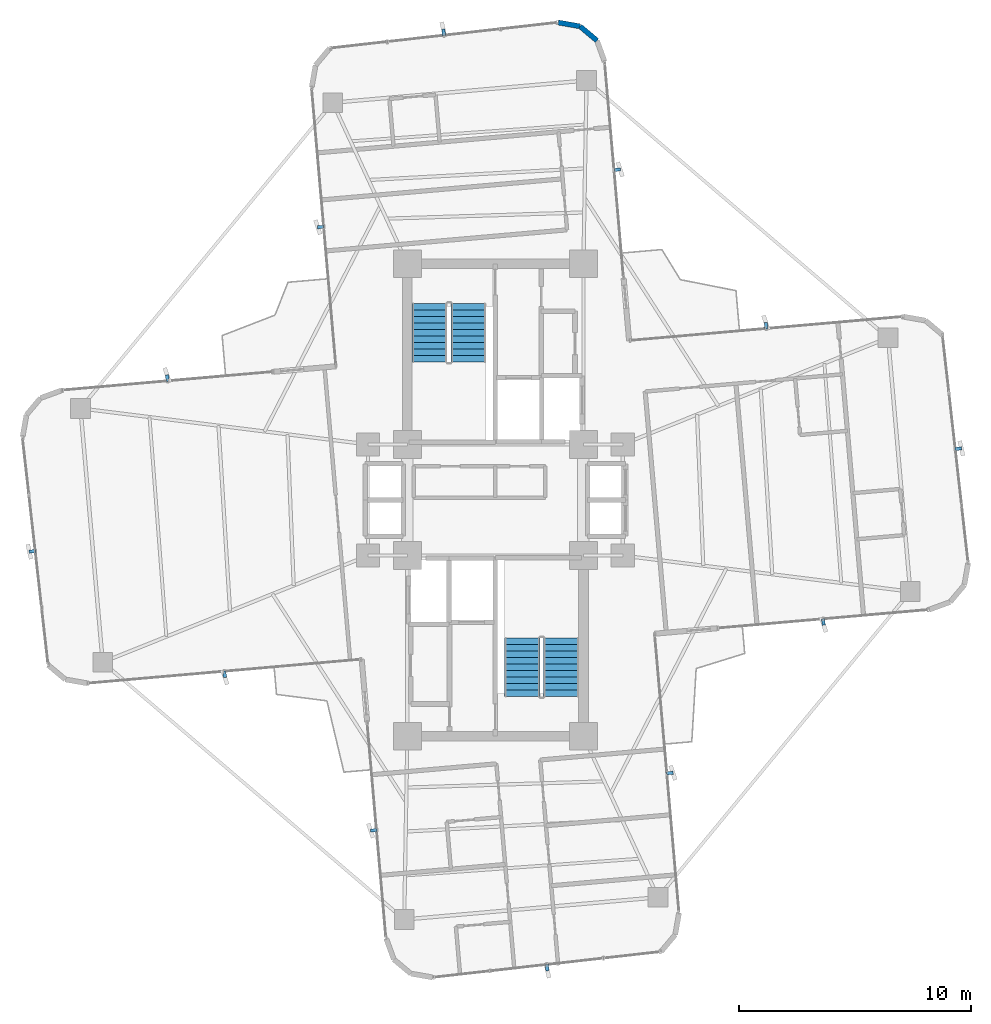
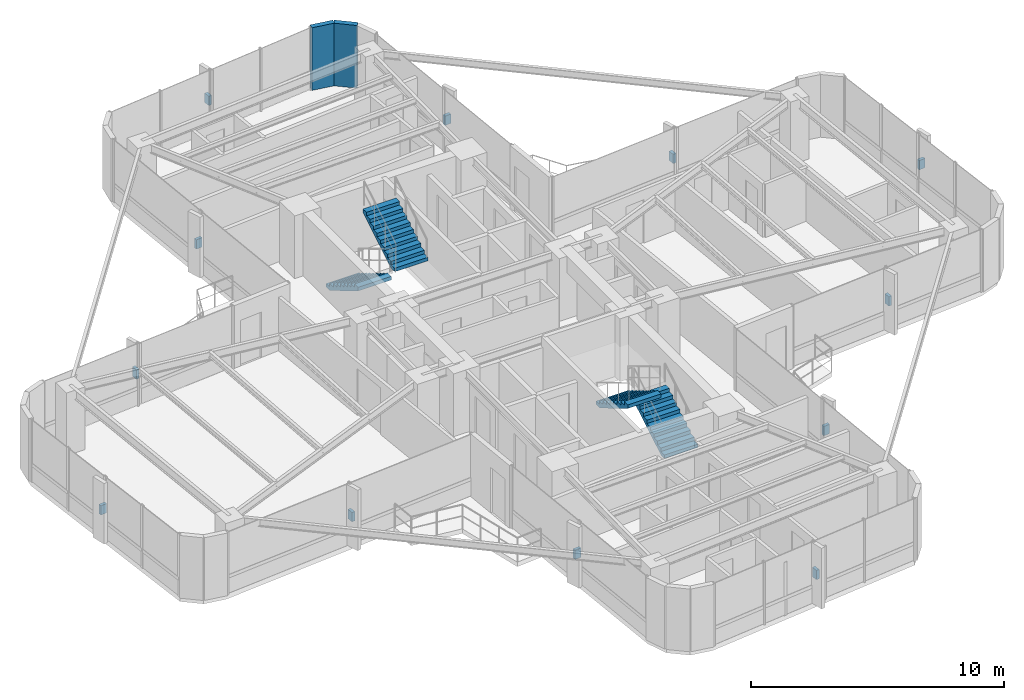
# One storey, part 23 of 24: 12 discrete accessories, 4 stair flights, 2 walls, 2 elements without a shape of their own.
"""IFC4 building model written with IfcOpenShell, lengths in metres."""

from ifc_helpers import new_model, si_unit, direction, frame, frame_2d, origin, origin_2d, place, context, subcontext, project, spatial, polyline, rectangle, outline, extrude, source, transform, mapped, material, layer, layer_set, type_object, element, aggregate, save


model = new_model("IFC4")

# Units and contexts
model_context = context("Model", 3, precision=1e-05, world=origin(), true_north=direction((0.0, 1.0)))
body_context = subcontext(model_context, "Body", "Model", "MODEL_VIEW")
ifc_project = project(units=[si_unit("LENGTHUNIT", "METRE"), si_unit("AREAUNIT", "SQUARE_METRE"), si_unit("VOLUMEUNIT", "CUBIC_METRE"), si_unit("PLANEANGLEUNIT", "RADIAN"), si_unit("MASSUNIT", "GRAM", prefix="KILO")], contexts=[model_context])

# Site, building, storey
site_placement = place(None, origin())
site = spatial("IfcSite", under=ifc_project, at=site_placement, CompositionType="ELEMENT")
building_placement = place(site_placement, origin())
building = spatial("IfcBuilding", under=site, at=building_placement, Name="Sahyath Konkavel Grand Hotel", CompositionType="ELEMENT")
storey_placement = place(building_placement, frame((0.0, 0.0, 198.64990234375)))
storey = spatial("IfcBuildingStorey", under=building, at=storey_placement, Name="L55", CompositionType="ELEMENT", Elevation=198.64990234375)

# Walls
ifc_material_1 = material(Name="Warm Buff Sandstone Insulated Concrete C40/50", Category="masonry")
ifc_layer = layer(ifc_material_1, 0.219970703125)
ifc_layer_set = layer_set([ifc_layer], Name="Warm Buff Sandstone Insulated Concrete C40/50")
wall_type = type_object("IfcWallType", Name="WLL-BALC-THRESH", PredefinedType="STANDARD", material=ifc_layer_set)
for number, where, z_axis, x_axis, name in (
    (1, (4.390380859375, 19.8330078125, 0.0), (0.0, 0.0, 1.0), (-0.765980978054, 0.642863236823, 0.0), "L55 Rounded Corner Sandstone Pier 10"),
    (2, (3.65673828125, 20.44873046875, 0.0), (0.0, 0.0, 1.0), (-0.984814340885, 0.173610811841, 0.0), "L55 Rounded Corner Sandstone Pier 11"),
):
    element("IfcWall", number, at=place(storey_placement, frame(where, z_axis=z_axis, x_axis=x_axis)), inside=storey, type_object=wall_type, Name=name, PredefinedType="STANDARD", context=body_context, shape_type="SweptSolid", body=[
        extrude(rectangle(XDim=0.957763671875, YDim=0.219970703125, at=frame_2d((0.47900390625, 0.0))), origin(), (0.0, 0.0, 1.0), 3.030029296875),
    ])

# Stair, stair flights
ifc_material_2 = material(Name="Concrete C40/50", Category="concrete")
stair_type = type_object("IfcStairType", Name="STR-ST16-335", PredefinedType="HALF_TURN_STAIR", material=ifc_material_2)
stair_1_placement = place(storey_placement, origin())
stair_1 = element("IfcStair", 3, at=stair_1_placement, inside=storey, type_object=stair_type, Name="L55 North Core Smokeproof Exit Stair ST-1", PredefinedType="HALF_TURN_STAIR")
stair_flight_type = type_object("IfcStairFlightType", Name="STF-ST16-335", PredefinedType="STRAIGHT", material=ifc_material_2)
stair_flight_1_placement = place(storey_placement, frame((-2.840087890625, 8.47998046875, 0.0), z_axis=(0.0, 0.0, 1.0), x_axis=(0.0, -1.0, 0.0)))
stair_flight_1 = element("IfcStairFlight", 4, at=stair_flight_1_placement, type_object=stair_flight_type, Name="ST-1 flight 1", NumberOfRisers=10, NumberOfTreads=9, PredefinedType="STRAIGHT", RiserHeight=0.1675, TreadLength=0.28, context=body_context, shape_type="SweptSolid", body=[
    extrude(outline(polyline([(0.0, 0.0), (0.0, 0.16748046875), (0.280029296875, 0.16748046875), (0.280029296875, 0.3349609375), (0.56005859375, 0.3349609375), (0.56005859375, 0.50244140625), (0.840087890625, 0.50244140625), (0.840087890625, 0.669921875), (1.1201171875, 0.669921875), (1.1201171875, 0.83740234375), (1.39990234375, 0.83740234375), (1.39990234375, 1.0048828125), (1.679931640625, 1.0048828125), (1.679931640625, 1.172607421875), (1.9599609375, 1.172607421875), (1.9599609375, 1.340087890625), (2.239990234375, 1.340087890625), (2.239990234375, 1.507568359375), (2.52001953125, 1.507568359375), (2.52001953125, 1.675048828125), (2.52001953125, 1.332763671875), (0.2919921875, 0.0), (0.0, 0.0)])), frame((0.0, 0.760009765625, 0.0), z_axis=(0.0, -1.0, 0.0), x_axis=(1.0, 0.0, 0.0)), (0.0, 0.0, 1.0), 1.52001953125),
])
stair_flight_2_placement = place(storey_placement, frame((-1.159912109375, 5.9599609375, 1.675048828125), z_axis=(0.0, 0.0, 1.0), x_axis=(0.0, 1.0, 0.0)))
stair_flight_2 = element("IfcStairFlight", 5, at=stair_flight_2_placement, type_object=stair_flight_type, Name="ST-1 flight 2", NumberOfRisers=10, NumberOfTreads=9, PredefinedType="STRAIGHT", RiserHeight=0.1675, TreadLength=0.28, context=body_context, shape_type="SweptSolid", body=[
    extrude(outline(polyline([(0.0, 0.0), (0.0, 0.16748046875), (0.280029296875, 0.16748046875), (0.280029296875, 0.3349609375), (0.56005859375, 0.3349609375), (0.56005859375, 0.50244140625), (0.840087890625, 0.50244140625), (0.840087890625, 0.669921875), (1.1201171875, 0.669921875), (1.1201171875, 0.83740234375), (1.39990234375, 0.83740234375), (1.39990234375, 1.0048828125), (1.679931640625, 1.0048828125), (1.679931640625, 1.172607421875), (1.9599609375, 1.172607421875), (1.9599609375, 1.340087890625), (2.239990234375, 1.340087890625), (2.239990234375, 1.507568359375), (2.52001953125, 1.507568359375), (2.52001953125, 1.675048828125), (2.52001953125, 1.332763671875), (0.2919921875, 0.0), (0.0, 0.0)])), frame((0.0, 0.760009765625, 0.0), z_axis=(0.0, -1.0, 0.0), x_axis=(1.0, 0.0, 0.0)), (0.0, 0.0, 1.0), 1.52001953125),
])
aggregate(stair_1, [stair_flight_1, stair_flight_2])

stair_2_placement = place(storey_placement, origin())
stair_2 = element("IfcStair", 6, at=stair_2_placement, inside=storey, type_object=stair_type, Name="L55 South Core Smokeproof Exit Stair ST-2", PredefinedType="HALF_TURN_STAIR")
stair_flight_3_placement = place(storey_placement, frame((2.840087890625, -8.47998046875, 0.0), z_axis=(0.0, 0.0, 1.0), x_axis=(0.0, 1.0, 0.0)))
stair_flight_3 = element("IfcStairFlight", 7, at=stair_flight_3_placement, type_object=stair_flight_type, Name="ST-2 flight 1", NumberOfRisers=10, NumberOfTreads=9, PredefinedType="STRAIGHT", RiserHeight=0.1675, TreadLength=0.28, context=body_context, shape_type="SweptSolid", body=[
    extrude(outline(polyline([(0.0, 0.0), (0.0, 0.16748046875), (0.280029296875, 0.16748046875), (0.280029296875, 0.3349609375), (0.56005859375, 0.3349609375), (0.56005859375, 0.50244140625), (0.840087890625, 0.50244140625), (0.840087890625, 0.669921875), (1.1201171875, 0.669921875), (1.1201171875, 0.83740234375), (1.39990234375, 0.83740234375), (1.39990234375, 1.0048828125), (1.679931640625, 1.0048828125), (1.679931640625, 1.172607421875), (1.9599609375, 1.172607421875), (1.9599609375, 1.340087890625), (2.239990234375, 1.340087890625), (2.239990234375, 1.507568359375), (2.52001953125, 1.507568359375), (2.52001953125, 1.675048828125), (2.52001953125, 1.332763671875), (0.2919921875, 0.0), (0.0, 0.0)])), frame((0.0, 0.760009765625, 0.0), z_axis=(0.0, -1.0, 0.0), x_axis=(1.0, 0.0, 0.0)), (0.0, 0.0, 1.0), 1.52001953125),
])
stair_flight_4_placement = place(storey_placement, frame((1.159912109375, -5.9599609375, 1.675048828125), z_axis=(0.0, 0.0, 1.0), x_axis=(0.0, -1.0, 0.0)))
stair_flight_4 = element("IfcStairFlight", 8, at=stair_flight_4_placement, type_object=stair_flight_type, Name="ST-2 flight 2", NumberOfRisers=10, NumberOfTreads=9, PredefinedType="STRAIGHT", RiserHeight=0.1675, TreadLength=0.28, context=body_context, shape_type="SweptSolid", body=[
    extrude(outline(polyline([(0.0, 0.0), (0.0, 0.16748046875), (0.280029296875, 0.16748046875), (0.280029296875, 0.3349609375), (0.56005859375, 0.3349609375), (0.56005859375, 0.50244140625), (0.840087890625, 0.50244140625), (0.840087890625, 0.669921875), (1.1201171875, 0.669921875), (1.1201171875, 0.83740234375), (1.39990234375, 0.83740234375), (1.39990234375, 1.0048828125), (1.679931640625, 1.0048828125), (1.679931640625, 1.172607421875), (1.9599609375, 1.172607421875), (1.9599609375, 1.340087890625), (2.239990234375, 1.340087890625), (2.239990234375, 1.507568359375), (2.52001953125, 1.507568359375), (2.52001953125, 1.675048828125), (2.52001953125, 1.332763671875), (0.2919921875, 0.0), (0.0, 0.0)])), frame((0.0, 0.760009765625, 0.0), z_axis=(0.0, -1.0, 0.0), x_axis=(1.0, 0.0, 0.0)), (0.0, 0.0, 1.0), 1.52001953125),
])
aggregate(stair_2, [stair_flight_3, stair_flight_4])

# Discrete accessories
ifc_material_3 = material(Name="Steel E350", Category="steel")
discrete_accessory_type = type_object("IfcDiscreteAccessoryType", Name="ACC-FIN-BRACKET", PredefinedType="BRACKET", material=ifc_material_3)
shared_shape = source(origin(), body_context, "Body", "SweptSolid", [
    extrude(rectangle(XDim=0.280029296875, YDim=0.139892578125, at=origin_2d()), origin(), (0.0, 0.0, 1.0), 0.449951171875),
])
for number, where, z_axis, x_axis, name in (
    (9, (14.162841796875, -5.265625, 1.2900390625), (0.0, 0.0, 1.0), (0.087155742748, -0.996194698092, 0.0), "L55 Fin Support Bracket F0-1"),
    (10, (19.989013671875, 2.21630859375, 1.2900390625), (0.0, 0.0, 1.0), (0.993709417943, 0.111989252568, 0.0), "L55 Fin Support Bracket F4-2"),
    (11, (11.6884765625, 7.52734375, 1.2900390625), (0.0, 0.0, 1.0), (-0.087155742748, 0.996194698092, 0.0), "L55 Fin Support Bracket F7-1"),
    (12, (5.2568359375, 14.262451171875, 1.2900390625), (0.0, 0.0, 1.0), (0.996194698092, 0.087155742748, 0.0), "L55 Fin Support Bracket F8-1"),
    (13, (-2.23388671875, 20.188232421875, 1.2900390625), (0.0, 0.0, 1.0), (-0.112006596052, 0.993707463211, 0.0), "L55 Fin Support Bracket F12-2"),
    (14, (-7.5361328125, 11.7880859375, 1.2900390625), (0.0, 0.0, 1.0), (-0.996194698092, -0.087155742748, 0.0), "L55 Fin Support Bracket F15-1"),
    (15, (-14.162841796875, 5.265625, 1.2900390625), (0.0, 0.0, 1.0), (-0.087155742748, 0.996194698092, 0.0), "L55 Fin Support Bracket F16-1"),
    (16, (-19.989013671875, -2.21630859375, 1.2900390625), (0.0, 0.0, 1.0), (-0.993709417943, -0.111989252568, 0.0), "L55 Fin Support Bracket F20-2"),
    (17, (-11.6884765625, -7.52734375, 1.2900390625), (0.0, 0.0, 1.0), (0.087155742748, -0.996194698092, 0.0), "L55 Fin Support Bracket F23-1"),
    (18, (-5.2568359375, -14.262451171875, 1.2900390625), (0.0, 0.0, 1.0), (-0.996194698092, -0.087155742748, 0.0), "L55 Fin Support Bracket F24-1"),
    (19, (2.23388671875, -20.188232421875, 1.2900390625), (0.0, 0.0, 1.0), (0.112006596052, -0.993707463211, 0.0), "L55 Fin Support Bracket F28-2"),
    (20, (7.5361328125, -11.7880859375, 1.2900390625), (0.0, 0.0, 1.0), (0.996194698092, 0.087155742748, 0.0), "L55 Fin Support Bracket F31-1"),
):
    element("IfcDiscreteAccessory", number, at=place(storey_placement, frame(where, z_axis=z_axis, x_axis=x_axis)), inside=storey, type_object=discrete_accessory_type, Name=name, PredefinedType="BRACKET", context=body_context, shape_type="MappedRepresentation", body=[
        mapped(shared_shape, transform((0.0, 0.0, 0.0), scale=1.0)),
    ])

save(model, "model.ifc")
